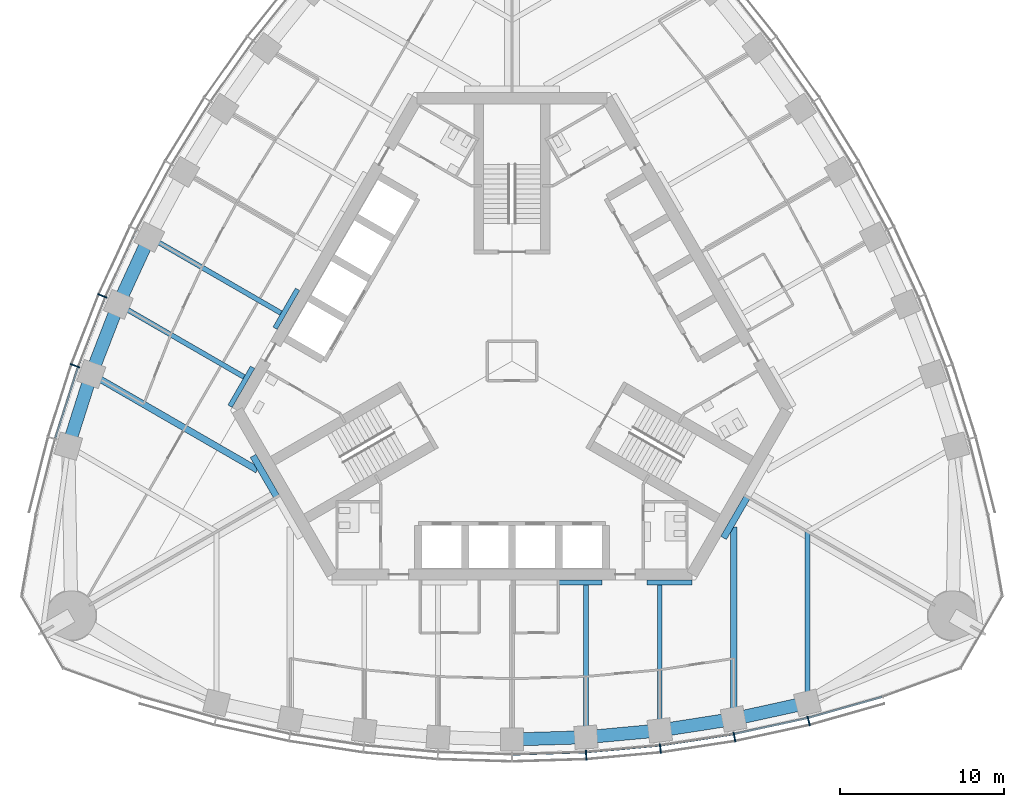
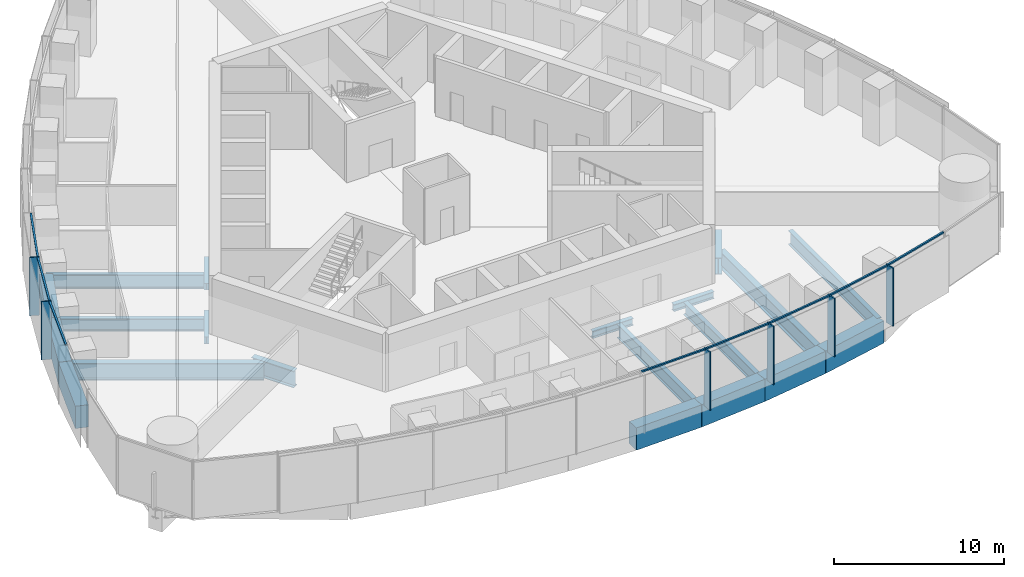
# One storey, part 3 of 16: 20 beams, 14 members, 2 elements without a shape of their own.
"""IFC4 building model written with IfcOpenShell, lengths in metres."""

import ifcopenshell
import ifcopenshell.guid

model = None  # the IFC model being written
_history = None  # IfcOwnerHistory: only IFC2X3 demands one
_inside = {}  # id of a spatial element -> (the spatial element, [elements in it])
_under = {}  # id of a project, library or spatial element -> (it, [spatial elements below it])
_declared = {}  # id of a project -> (the project, [libraries it declares])
_typed = {}  # id of a type object -> (the type object, [elements of that type])
_made_of = {}  # id of a material, layer set ... -> (it, [elements and type objects made of it])


def new_model(schema):
    """Start an empty IFC model of exactly this schema.

    Asked for "IFC4X3", IfcOpenShell would pick the latest addendum, in which some entities
    have other attributes; the version numbers below select the first issue.
    IFC2X3 requires an IfcOwnerHistory on every rooted entity: one is made here for all.
    """
    global model, _history
    if schema == "IFC4X3":
        model = ifcopenshell.file(schema_version=(4, 3, 0, 0))
    else:
        model = ifcopenshell.file(schema=schema)
    _inside.clear()
    _under.clear()
    _declared.clear()
    _typed.clear()
    _made_of.clear()
    _history = None
    if model.schema == "IFC2X3":
        org = make("IfcOrganization", Name="unknown")
        user = make(
            "IfcPersonAndOrganization",
            ThePerson=make("IfcPerson", FamilyName="unknown"),
            TheOrganization=org,
        )
        app = make(
            "IfcApplication",
            ApplicationDeveloper=org,
            Version="unknown",
            ApplicationFullName="unknown",
            ApplicationIdentifier="unknown",
        )
        _history = make(
            "IfcOwnerHistory",
            OwningUser=user,
            OwningApplication=app,
            ChangeAction="ADDED",
            CreationDate=0,
        )
    return model


def make(cls, **values):
    """One entity of the class cls with the attributes given. An attribute that is None is left unset."""
    return model.create_entity(
        cls, **{name: value for name, value in values.items() if value is not None}
    )


def rooted(cls, **values):
    """An entity with a GlobalId (a new one), such as an element, a storey or a relation."""
    return make(cls, GlobalId=ifcopenshell.guid.new(), OwnerHistory=_history, **values)


def si_unit(unit_type, name, prefix=None):
    """IfcSIUnit, for example si_unit("LENGTHUNIT", "METRE", prefix="MILLI")."""
    return make("IfcSIUnit", UnitType=unit_type, Prefix=prefix, Name=name)


def assignment(units):
    """IfcUnitAssignment: the units of a project."""
    return None if units is None else make("IfcUnitAssignment", Units=units)


def point(xyz):
    """IfcCartesianPoint."""
    return None if xyz is None else make("IfcCartesianPoint", Coordinates=xyz)


def direction(xyz):
    """IfcDirection."""
    return None if xyz is None else make("IfcDirection", DirectionRatios=xyz)


def frame(location, z_axis=None, x_axis=None):
    """IfcAxis2Placement3D, a coordinate frame: its origin and axes. An axis left out is left unset."""
    return make(
        "IfcAxis2Placement3D",
        Location=point(location),
        Axis=direction(z_axis),
        RefDirection=direction(x_axis),
    )


def frame_2d(location, x_axis=None):
    """IfcAxis2Placement2D, a coordinate frame in the plane: its origin and x axis."""
    return make(
        "IfcAxis2Placement2D", Location=point(location), RefDirection=direction(x_axis)
    )


def origin():
    """The frame at (0, 0, 0) with its axes left unset."""
    return frame((0.0, 0.0, 0.0))


def origin_2d():
    """The frame at (0, 0) in the plane with its x axis left unset."""
    return frame_2d((0.0, 0.0))


def place(relative_to, where):
    """IfcLocalPlacement: puts the frame where relative to a parent placement (None: the world)."""
    return make(
        "IfcLocalPlacement", PlacementRelTo=relative_to, RelativePlacement=where
    )


def context(
    kind, dimensions, precision=None, world=None, true_north=None, identifier=None
):
    """IfcGeometricRepresentationContext, for example the 3D "Model" context."""
    return make(
        "IfcGeometricRepresentationContext",
        ContextIdentifier=identifier,
        ContextType=kind,
        CoordinateSpaceDimension=dimensions,
        Precision=precision,
        WorldCoordinateSystem=world,
        TrueNorth=true_north,
    )


def subcontext(parent, identifier, kind, view, scale=None):
    """IfcGeometricRepresentationSubContext, for example "Body" below "Model"."""
    return make(
        "IfcGeometricRepresentationSubContext",
        ContextIdentifier=identifier,
        ContextType=kind,
        ParentContext=parent,
        TargetScale=scale,
        TargetView=view,
    )


def project(units=None, contexts=None):
    """IfcProject with its units and contexts."""
    return rooted(
        "IfcProject",
        Name="project",
        RepresentationContexts=contexts,
        UnitsInContext=assignment(units),
    )


def spatial(cls, under=None, at=None, **own):
    """A site, building, storey or space (cls), placed at a placement, below another one or the project."""
    s = rooted(cls, ObjectPlacement=at, **own)
    if under is not None:
        _under.setdefault(under.id(), (under, []))[1].append(s)
    return s


def profile(cls, at=None, kind="AREA", **sizes):
    """A parametric profile (cls). Its sizes go by their IFC names, for example OverallWidth=200.0."""
    return make(cls, ProfileType=kind, Position=at, **sizes)


def rectangle(**sizes):
    """IfcRectangleProfileDef."""
    return profile("IfcRectangleProfileDef", **sizes)


def i_section(**sizes):
    """IfcIShapeProfileDef."""
    return profile("IfcIShapeProfileDef", **sizes)


def extrude(swept, where, along, depth):
    """IfcExtrudedAreaSolid: the profile swept, set in the frame where, extruded along a direction by depth."""
    return make(
        "IfcExtrudedAreaSolid",
        SweptArea=swept,
        Position=where,
        ExtrudedDirection=direction(along),
        Depth=depth,
    )


def shape(context_of_items, identifier, shape_type, items):
    """IfcShapeRepresentation: the items that make up one representation, for example the "Body"."""
    return make(
        "IfcShapeRepresentation",
        ContextOfItems=context_of_items,
        RepresentationIdentifier=identifier,
        RepresentationType=shape_type,
        Items=items,
    )


def material(Name=None, Category=None):
    """IfcMaterial."""
    return make("IfcMaterial", Name=Name, Category=Category)


def material_profile(
    of_material, cross_section, Name=None, Category=None, Priority=None
):
    """IfcMaterialProfile: a cross section and its material."""
    return make(
        "IfcMaterialProfile",
        Name=Name,
        Material=of_material,
        Profile=cross_section,
        Priority=Priority,
        Category=Category,
    )


def profile_set(profiles, Name=None, composite=None):
    """IfcMaterialProfileSet."""
    return make(
        "IfcMaterialProfileSet",
        Name=Name,
        MaterialProfiles=profiles,
        CompositeProfile=composite,
    )


def made_of(thing, what):
    """Note that an element or type object is made of a material, layer set ...; save() writes the relation."""
    if what is not None:
        _made_of.setdefault(what.id(), (what, []))[1].append(thing)
    return thing


def type_object(cls, material=None, **own):
    """A type object (cls), such as IfcWallType, which elements share."""
    return made_of(rooted(cls, **own), material)


def element(
    cls,
    number,
    at=None,
    inside=None,
    cuts=None,
    type_object=None,
    material=None,
    context=None,
    identifier="Body",
    shape_type=None,
    held_by="IfcProductDefinitionShape",
    body=None,
    shapes=None,
    **own,
):
    """One element of the class cls, such as IfcWall. Its Tag is "e" and its number.

    at: its placement. inside: the storey or other place that contains it. cuts: it is an
    opening in that element (IfcRelVoidsElement). A single representation is given by context,
    identifier, shape_type and body (its items); several are given by shapes. held_by: the class
    of the entity that holds the representations. save() writes the other relations.
    """
    e = rooted(cls, Tag="e%d" % number, ObjectPlacement=at, **own)
    if body is not None:
        shapes = [shape(context, identifier, shape_type, body)]
    if shapes is not None:
        e.Representation = make(held_by, Representations=shapes)
    if inside is not None:
        _inside.setdefault(inside.id(), (inside, []))[1].append(e)
    if cuts is not None:
        rooted(
            "IfcRelVoidsElement", RelatingBuildingElement=cuts, RelatedOpeningElement=e
        )
    if type_object is not None:
        _typed.setdefault(type_object.id(), (type_object, []))[1].append(e)
    return made_of(e, material)


def aggregate(whole, parts):
    """IfcRelAggregates: a whole, such as a stair, and the parts it consists of."""
    return rooted("IfcRelAggregates", RelatingObject=whole, RelatedObjects=parts)


def save(model, path):
    """Write the relations noted so far, then the file.

    IfcRelAggregates (storeys below a building ...), IfcRelContainedInSpatialStructure (elements
    in a storey), IfcRelDefinesByType, IfcRelAssociatesMaterial and IfcRelDeclares: one each for
    every whole, place, type object, material and project.
    """
    for whole, parts in _under.values():
        aggregate(whole, parts)
    for where, things in _inside.values():
        rooted(
            "IfcRelContainedInSpatialStructure",
            RelatedElements=things,
            RelatingStructure=where,
        )
    for kind, things in _typed.values():
        rooted("IfcRelDefinesByType", RelatedObjects=things, RelatingType=kind)
    for what, things in _made_of.values():
        rooted("IfcRelAssociatesMaterial", RelatedObjects=things, RelatingMaterial=what)
    for by, libraries in _declared.values():
        rooted("IfcRelDeclares", RelatingContext=by, RelatedDefinitions=libraries)
    model.write(path)


model = new_model("IFC4")

# Units and contexts
model_context = context("Model", 3, precision=1e-05, world=origin(), true_north=direction((0.0, 1.0)))
body_context = subcontext(model_context, "Body", "Model", "MODEL_VIEW")
ifc_project = project(units=[si_unit("LENGTHUNIT", "METRE"), si_unit("AREAUNIT", "SQUARE_METRE"), si_unit("VOLUMEUNIT", "CUBIC_METRE"), si_unit("PLANEANGLEUNIT", "RADIAN"), si_unit("MASSUNIT", "GRAM", prefix="KILO")], contexts=[model_context])

# Site, building, storey
site_placement = place(None, origin())
site = spatial("IfcSite", under=ifc_project, at=site_placement, CompositionType="ELEMENT")
building_placement = place(site_placement, origin())
building = spatial("IfcBuilding", under=site, at=building_placement, Name="Trefoil Bronze Tower", CompositionType="ELEMENT")
storey_placement = place(building_placement, frame((0.0, 0.0, 284.699951171875)))
storey = spatial("IfcBuildingStorey", under=building, at=storey_placement, Name="L65", CompositionType="ELEMENT", Elevation=284.699951171875)

# Curtain wall, members
ifc_material_1 = material(Name="Tinted solar-control glass", Category="glass")
curtain_wall_type = type_object("IfcCurtainWallType", Name="Bronze office curtain wall", PredefinedType="USERDEFINED", material=ifc_material_1)
curtain_wall_1_placement = place(storey_placement, origin())
curtain_wall_1 = element("IfcCurtainWall", 1, at=curtain_wall_1_placement, inside=storey, type_object=curtain_wall_type, Name="CW-A L65 F1", ObjectType="CURTAIN WALL", PredefinedType="USERDEFINED")
ifc_material_2 = material(Name="Bronze-finish aluminium", Category="aluminium")
ifc_material_profile_1 = material_profile(ifc_material_2, rectangle(XDim=0.60009765625, YDim=0.080078125, at=origin_2d()), Name="CW-A mullion")
ifc_profile_set_1 = profile_set([ifc_material_profile_1], Name="Bronze-finish aluminium")
member_type_1 = type_object("IfcMemberType", Name="Bronze office curtain wall mullion", PredefinedType="MULLION", material=ifc_profile_set_1)
member_1_placement = place(storey_placement, frame((4.51806640625, -24.014892578125, 0.0), z_axis=(0.0, 0.0, 1.0), x_axis=(-0.060554040199, 0.998164920349, 0.0)))
member_1 = element("IfcMember", 2, at=member_1_placement, type_object=member_type_1, Name="CW-A L65 F1 mullion 7", PredefinedType="MULLION", context=body_context, shape_type="SweptSolid", body=[
    extrude(rectangle(XDim=0.60009765625, YDim=0.080078125, at=origin_2d()), origin(), (0.0, 0.0, 1.0), 4.179931640625),
])
member_2_placement = place(storey_placement, frame((9.036376953125, -23.602783203125, 0.0), z_axis=(0.0, 0.0, 1.0), x_axis=(-0.121109330868, 0.992639174109, 0.0)))
member_2 = element("IfcMember", 3, at=member_2_placement, type_object=member_type_1, Name="CW-A L65 F1 mullion 8", PredefinedType="MULLION", context=body_context, shape_type="SweptSolid", body=[
    extrude(rectangle(XDim=0.60009765625, YDim=0.080078125, at=origin_2d()), origin(), (0.0, 0.0, 1.0), 4.179931640625),
])
member_3_placement = place(storey_placement, frame((13.554443359375, -22.911376953125, 0.0), z_axis=(0.0, 0.0, 1.0), x_axis=(-0.181667218242, 0.983360067227, 0.0)))
member_3 = element("IfcMember", 4, at=member_3_placement, type_object=member_type_1, Name="CW-A L65 F1 mullion 9", PredefinedType="MULLION", context=body_context, shape_type="SweptSolid", body=[
    extrude(rectangle(XDim=0.60009765625, YDim=0.080078125, at=origin_2d()), origin(), (0.0, 0.0, 1.0), 4.179931640625),
])
member_4_placement = place(storey_placement, frame((18.07275390625, -21.931884765625, 0.0), z_axis=(0.0, 0.0, 1.0), x_axis=(-0.242394494031, 0.97017777199, 0.0)))
member_4 = element("IfcMember", 5, at=member_4_placement, type_object=member_type_1, Name="CW-A L65 F1 mullion 10", PredefinedType="MULLION", context=body_context, shape_type="SweptSolid", body=[
    extrude(rectangle(XDim=0.60009765625, YDim=0.080078125, at=origin_2d()), origin(), (0.0, 0.0, 1.0), 4.179931640625),
])

curtain_wall_2_placement = place(storey_placement, origin())
curtain_wall_2 = element("IfcCurtainWall", 6, at=curtain_wall_2_placement, inside=storey, type_object=curtain_wall_type, Name="CW-A L65 F3", ObjectType="CURTAIN WALL", PredefinedType="USERDEFINED")
member_5_placement = place(storey_placement, frame((-24.958984375, 3.975830078125, 0.0), z_axis=(0.0, 0.0, 1.0), x_axis=(0.920205407004, -0.391435829888, 0.0)))
member_5 = element("IfcMember", 7, at=member_5_placement, type_object=member_type_1, Name="CW-A L65 F3 mullion 8", PredefinedType="MULLION", context=body_context, shape_type="SweptSolid", body=[
    extrude(rectangle(XDim=0.60009765625, YDim=0.080078125, at=origin_2d()), origin(), (0.0, 0.0, 1.0), 4.179931640625),
])
member_6_placement = place(storey_placement, frame((-26.618896484375, -0.282958984375, 0.0), z_axis=(0.0, 0.0, 1.0), x_axis=(0.942448408407, -0.334351607581, 0.0)))
member_6 = element("IfcMember", 8, at=member_6_placement, type_object=member_type_1, Name="CW-A L65 F3 mullion 9", PredefinedType="MULLION", context=body_context, shape_type="SweptSolid", body=[
    extrude(rectangle(XDim=0.60009765625, YDim=0.080078125, at=origin_2d()), origin(), (0.0, 0.0, 1.0), 4.179931640625),
])

# Member
ifc_material_3 = material(Name="Bronze-finish aluminium", Category="aluminium")
ifc_material_profile_2 = material_profile(ifc_material_3, rectangle(XDim=0.1201171875, YDim=0.10009765625, at=origin_2d()), Name="CW-A transom")
ifc_profile_set_2 = profile_set([ifc_material_profile_2], Name="Bronze-finish aluminium")
member_type_2 = type_object("IfcMemberType", Name="Bronze office curtain wall transom", PredefinedType="USERDEFINED", material=ifc_profile_set_2)
member_7_placement = place(storey_placement, frame((0.04296875, -23.950439453125, 4.130126953125), z_axis=(0.99954057115, 0.030309183848, 0.0), x_axis=(-0.030309183848, 0.99954057115, 0.0)))
member_7 = element("IfcMember", 9, at=member_7_placement, type_object=member_type_2, Name="CW-A L65 F1 transom 6", ObjectType="TRANSOM", PredefinedType="USERDEFINED", context=body_context, shape_type="SweptSolid", body=[
    extrude(rectangle(XDim=0.1201171875, YDim=0.10009765625, at=origin_2d()), origin(), (0.0, 0.0, 1.0), 4.422119140625),
])

member_8_placement = place(storey_placement, frame((4.548828125, -23.811279296875, 4.130126953125), z_axis=(0.995868373079, 0.090808499059, 0.0), x_axis=(-0.090808499059, 0.995868373079, 0.0)))
member_8 = element("IfcMember", 10, at=member_8_placement, type_object=member_type_2, Name="CW-A L65 F1 transom 7", ObjectType="TRANSOM", PredefinedType="USERDEFINED", context=body_context, shape_type="SweptSolid", body=[
    extrude(rectangle(XDim=0.1201171875, YDim=0.10009765625, at=origin_2d()), origin(), (0.0, 0.0, 1.0), 4.438720703125),
])

member_9_placement = place(storey_placement, frame((9.0546875, -23.39794921875, 4.130126953125), z_axis=(0.988485016014, 0.151318779787, 0.0), x_axis=(-0.151318779787, 0.988485016014, 0.0)))
member_9 = element("IfcMember", 11, at=member_9_placement, type_object=member_type_2, Name="CW-A L65 F1 transom 8", ObjectType="TRANSOM", PredefinedType="USERDEFINED", context=body_context, shape_type="SweptSolid", body=[
    extrude(rectangle(XDim=0.1201171875, YDim=0.10009765625, at=origin_2d()), origin(), (0.0, 0.0, 1.0), 4.472412109375),
])

member_10_placement = place(storey_placement, frame((13.560302734375, -22.70556640625, 4.130126953125), z_axis=(0.977303780028, 0.211842681117, 0.0), x_axis=(-0.211842681117, 0.977303780028, 0.0)))
member_10 = element("IfcMember", 12, at=member_10_placement, type_object=member_type_2, Name="CW-A L65 F1 transom 9", ObjectType="TRANSOM", PredefinedType="USERDEFINED", context=body_context, shape_type="SweptSolid", body=[
    extrude(rectangle(XDim=0.1201171875, YDim=0.10009765625, at=origin_2d()), origin(), (0.0, 0.0, 1.0), 4.524658203125),
])

member_11_placement = place(storey_placement, frame((18.065673828125, -21.72607421875, 4.130126953125), z_axis=(0.962102611578, 0.272687668944, 0.0), x_axis=(-0.272687668944, 0.962102611578, 0.0)))
member_11 = element("IfcMember", 13, at=member_11_placement, type_object=member_type_2, Name="CW-A L65 F1 transom 10", ObjectType="TRANSOM", PredefinedType="USERDEFINED", context=body_context, shape_type="SweptSolid", body=[
    extrude(rectangle(XDim=0.1201171875, YDim=0.10009765625, at=origin_2d()), origin(), (0.0, 0.0, 1.0), 4.6474609375),
])

aggregate(curtain_wall_1, [member_1, member_2, member_3, member_4, member_7, member_8, member_9, member_10, member_11])

member_12_placement = place(storey_placement, frame((-22.895751953125, 7.966064453125, 4.130126953125), z_axis=(-0.4192988407, -0.907848270466, 0.0), x_axis=(0.907848270466, -0.4192988407, 0.0)))
member_12 = element("IfcMember", 14, at=member_12_placement, type_object=member_type_2, Name="CW-A L65 F3 transom 7", ObjectType="TRANSOM", PredefinedType="USERDEFINED", context=body_context, shape_type="SweptSolid", body=[
    extrude(rectangle(XDim=0.1201171875, YDim=0.10009765625, at=origin_2d()), origin(), (0.0, 0.0, 1.0), 4.4384765625),
])

member_13_placement = place(storey_placement, frame((-24.79052734375, 3.857421875, 4.130126953125), z_axis=(-0.363178486404, -0.931719586042, 0.0), x_axis=(0.931719586042, -0.363178486404, 0.0)))
member_13 = element("IfcMember", 15, at=member_13_placement, type_object=member_type_2, Name="CW-A L65 F3 transom 8", ObjectType="TRANSOM", PredefinedType="USERDEFINED", context=body_context, shape_type="SweptSolid", body=[
    extrude(rectangle(XDim=0.1201171875, YDim=0.10009765625, at=origin_2d()), origin(), (0.0, 0.0, 1.0), 4.472412109375),
])

member_14_placement = place(storey_placement, frame((-26.443603515625, -0.390869140625, 4.130126953125), z_axis=(-0.305198606794, -0.95228872219, 0.0), x_axis=(0.95228872219, -0.305198606794, 0.0)))
member_14 = element("IfcMember", 16, at=member_14_placement, type_object=member_type_2, Name="CW-A L65 F3 transom 9", ObjectType="TRANSOM", PredefinedType="USERDEFINED", context=body_context, shape_type="SweptSolid", body=[
    extrude(rectangle(XDim=0.1201171875, YDim=0.10009765625, at=origin_2d()), origin(), (0.0, 0.0, 1.0), 4.5244140625),
])

aggregate(curtain_wall_2, [member_5, member_6, member_12, member_13, member_14])

# Beams
ifc_material_4 = material(Name="Steel C355", Category="steel")
ifc_material_profile_3 = material_profile(ifc_material_4, i_section(OverallWidth=0.300048828125, OverallDepth=0.5, WebThickness=0.014404296875, FlangeThickness=0.028076171875, FilletRadius=0.027099609375, at=origin_2d()), Name="HEB 500")
ifc_profile_set_3 = profile_set([ifc_material_profile_3], Name="Steel C355")
beam_type_1 = type_object("IfcBeamType", Name="Core seat beam HEB 500", PredefinedType="BEAM", material=ifc_profile_set_3)
for number, where, z_axis, x_axis, name in (
    (17, (2.742431640625, -13.5, -0.449951171875), (1.0, 0.0, 0.0), (0.0, 1.0, 0.0), "Core seat beam F1/+1 L65"),
    (18, (8.227294921875, -13.5, -0.449951171875), (1.0, 0.0, 0.0), (0.0, 1.0, 0.0), "Core seat beam F1/+2 L65"),
    (19, (-13.0625, 4.375, -0.449951171875), (-0.500035825175, -0.866004719122, 0.0), (0.866004719122, -0.500035825175, 0.0), "Core seat beam F3/+1 L65"),
    (20, (-15.804931640625, -0.375, -0.449951171875), (-0.500035825175, -0.866004719122, 0.0), (0.866004719122, -0.500035825175, 0.0), "Core seat beam F3/+2 L65"),
):
    element("IfcBeam", number, at=place(storey_placement, frame(where, z_axis=z_axis, x_axis=x_axis)), inside=storey, type_object=beam_type_1, Name=name, PredefinedType="BEAM", context=body_context, shape_type="SweptSolid", body=[
        extrude(i_section(OverallWidth=0.300048828125, OverallDepth=0.5, WebThickness=0.014404296875, FlangeThickness=0.028076171875, FilletRadius=0.027099609375, at=origin_2d()), origin(), (0.0, 0.0, 1.0), 2.742431640625),
    ])
ifc_material_5 = material(Name="Steel C355", Category="steel")
ifc_material_profile_4 = material_profile(ifc_material_5, i_section(OverallWidth=0.39990234375, OverallDepth=1.199951171875, WebThickness=0.02001953125, FlangeThickness=0.0400390625, FilletRadius=0.010009765625, at=origin_2d()), Name="WPG 1200")
ifc_profile_set_4 = profile_set([ifc_material_profile_4], Name="Steel C355")
beam_type_2 = type_object("IfcBeamType", Name="Core seat beam WPG 1200", PredefinedType="BEAM", material=ifc_profile_set_4)
for number, where, z_axis, x_axis, name in (
    (21, (12.889404296875, -10.77490234375, -0.800048828125), (0.499995765644, 0.866027848477, 0.0), (-0.866027848477, 0.499995765644, 0.0), "Core seat beam F1/+3 L65"),
    (22, (-15.776123046875, -5.77490234375, -0.800048828125), (0.499995765644, -0.866027848477, 0.0), (0.866027848477, 0.499995765644, 0.0), "Core seat beam F3/+3 L65"),
):
    element("IfcBeam", number, at=place(storey_placement, frame(where, z_axis=z_axis, x_axis=x_axis)), inside=storey, type_object=beam_type_2, Name=name, PredefinedType="BEAM", context=body_context, shape_type="SweptSolid", body=[
        extrude(i_section(OverallWidth=0.39990234375, OverallDepth=1.199951171875, WebThickness=0.02001953125, FlangeThickness=0.0400390625, FilletRadius=0.010009765625, at=origin_2d()), origin(), (0.0, 0.0, 1.0), 2.88671875),
    ])
ifc_material_6 = material(Name="Steel C355", Category="steel")
ifc_material_profile_5 = material_profile(ifc_material_6, i_section(OverallWidth=0.300048828125, OverallDepth=1.0, WebThickness=0.01904296875, FlangeThickness=0.035888671875, FilletRadius=0.030029296875, at=origin_2d()), Name="HEB 1000")
ifc_profile_set_5 = profile_set([ifc_material_profile_5], Name="Steel C355")
beam_type_3 = type_object("IfcBeamType", Name="Floor beam HEB 1000", PredefinedType="BEAM", material=ifc_profile_set_5)
beam_1_placement = place(storey_placement, frame((4.5, -22.913818359375, -0.699951171875), z_axis=(0.0, 1.0, 0.0), x_axis=(-1.0, 0.0, 0.0)))
element("IfcBeam", 23, at=beam_1_placement, inside=storey, type_object=beam_type_3, Name="Floor beam F1/+1 L65", PredefinedType="BEAM", context=body_context, shape_type="SweptSolid", body=[
    extrude(i_section(OverallWidth=0.300048828125, OverallDepth=1.0, WebThickness=0.01904296875, FlangeThickness=0.035888671875, FilletRadius=0.030029296875, at=origin_2d()), origin(), (0.0, 0.0, 1.0), 9.263916015625),
])
beam_2_placement = place(storey_placement, frame((-22.093994140625, 7.559814453125, -0.699951171875), z_axis=(0.866028909405, -0.499993928037, 0.0), x_axis=(0.499993928037, 0.866028909405, 0.0)))
element("IfcBeam", 24, at=beam_2_placement, inside=storey, type_object=beam_type_3, Name="Floor beam F3/+1 L65", PredefinedType="BEAM", context=body_context, shape_type="SweptSolid", body=[
    extrude(i_section(OverallWidth=0.300048828125, OverallDepth=1.0, WebThickness=0.01904296875, FlangeThickness=0.035888671875, FilletRadius=0.030029296875, at=origin_2d()), origin(), (0.0, 0.0, 1.0), 9.263671875),
])
ifc_material_7 = material(Name="Steel C355", Category="steel")
ifc_material_profile_6 = material_profile(ifc_material_7, i_section(OverallWidth=0.300048828125, OverallDepth=0.89990234375, WebThickness=0.0185546875, FlangeThickness=0.034912109375, FilletRadius=0.030029296875, at=origin_2d()), Name="HEB 900")
ifc_profile_set_6 = profile_set([ifc_material_profile_6], Name="Steel C355")
beam_type_4 = type_object("IfcBeamType", Name="Floor beam HEB 900", PredefinedType="BEAM", material=ifc_profile_set_6)
beam_3_placement = place(storey_placement, frame((9.0, -22.499267578125, -0.64990234375), z_axis=(0.0, 1.0, 0.0), x_axis=(-1.0, 0.0, 0.0)))
element("IfcBeam", 25, at=beam_3_placement, inside=storey, type_object=beam_type_4, Name="Floor beam F1/+2 L65", PredefinedType="BEAM", context=body_context, shape_type="SweptSolid", body=[
    extrude(i_section(OverallWidth=0.300048828125, OverallDepth=0.89990234375, WebThickness=0.0185546875, FlangeThickness=0.034912109375, FilletRadius=0.030029296875, at=origin_2d()), origin(), (0.0, 0.0, 1.0), 8.849365234375),
])
beam_4_placement = place(storey_placement, frame((-23.98486328125, 3.455322265625, -0.64990234375), z_axis=(0.866025701847, -0.499999483739, 0.0), x_axis=(0.499999483739, 0.866025701847, 0.0)))
element("IfcBeam", 26, at=beam_4_placement, inside=storey, type_object=beam_type_4, Name="Floor beam F3/+2 L65", PredefinedType="BEAM", context=body_context, shape_type="SweptSolid", body=[
    extrude(i_section(OverallWidth=0.300048828125, OverallDepth=0.89990234375, WebThickness=0.0185546875, FlangeThickness=0.034912109375, FilletRadius=0.030029296875, at=origin_2d()), origin(), (0.0, 0.0, 1.0), 8.84912109375),
])
ifc_material_8 = material(Name="Steel C355", Category="steel")
ifc_material_profile_7 = material_profile(ifc_material_8, i_section(OverallWidth=0.302001953125, OverallDepth=1.008056640625, WebThickness=0.02099609375, FlangeThickness=0.0400390625, FilletRadius=0.030029296875, at=origin_2d()), Name="HEM 1000")
ifc_profile_set_7 = profile_set([ifc_material_profile_7], Name="Steel C355")
beam_type_5 = type_object("IfcBeamType", Name="Floor beam HEM 1000", PredefinedType="BEAM", material=ifc_profile_set_7)
beam_5_placement = place(storey_placement, frame((18.0, -20.816162109375, -0.703857421875), z_axis=(0.0, 1.0, 0.0), x_axis=(-1.0, 0.0, 0.0)))
element("IfcBeam", 27, at=beam_5_placement, inside=storey, type_object=beam_type_5, Name="Floor beam F1/+4 L65", PredefinedType="BEAM", context=body_context, shape_type="SweptSolid", body=[
    extrude(i_section(OverallWidth=0.302001953125, OverallDepth=1.008056640625, WebThickness=0.02099609375, FlangeThickness=0.0400390625, FilletRadius=0.030029296875, at=origin_2d()), origin(), (0.0, 0.0, 1.0), 10.423828125),
])
ifc_material_9 = material(Name="Steel C355", Category="steel")
ifc_material_profile_8 = material_profile(ifc_material_9, i_section(OverallWidth=0.39990234375, OverallDepth=1.199951171875, WebThickness=0.02001953125, FlangeThickness=0.0400390625, FilletRadius=0.010009765625, at=origin_2d()), Name="WPG 1200")
ifc_profile_set_8 = profile_set([ifc_material_profile_8], Name="Steel C355")
beam_type_6 = type_object("IfcBeamType", Name="Floor beam WPG 1200", PredefinedType="BEAM", material=ifc_profile_set_8)
beam_6_placement = place(storey_placement, frame((13.5, -21.802734375, -0.800048828125), z_axis=(0.0, 1.0, 0.0), x_axis=(-1.0, 0.0, 0.0)))
element("IfcBeam", 28, at=beam_6_placement, inside=storey, type_object=beam_type_6, Name="Floor beam F1/+3 L65", PredefinedType="BEAM", context=body_context, shape_type="SweptSolid", body=[
    extrude(i_section(OverallWidth=0.39990234375, OverallDepth=1.199951171875, WebThickness=0.02001953125, FlangeThickness=0.0400390625, FilletRadius=0.010009765625, at=origin_2d()), origin(), (0.0, 0.0, 1.0), 11.685302734375),
])
beam_7_placement = place(storey_placement, frame((-25.631591796875, -0.7900390625, -0.800048828125), z_axis=(0.866026929639, -0.499997357134, 0.0), x_axis=(0.499997357134, 0.866026929639, 0.0)))
element("IfcBeam", 29, at=beam_7_placement, inside=storey, type_object=beam_type_6, Name="Floor beam F3/+3 L65", PredefinedType="BEAM", context=body_context, shape_type="SweptSolid", body=[
    extrude(i_section(OverallWidth=0.39990234375, OverallDepth=1.199951171875, WebThickness=0.02001953125, FlangeThickness=0.0400390625, FilletRadius=0.010009765625, at=origin_2d()), origin(), (0.0, 0.0, 1.0), 11.68505859375),
])
ifc_material_10 = material(Name="Concrete B80", Category="concrete")
ifc_material_profile_9 = material_profile(ifc_material_10, rectangle(XDim=0.800048828125, YDim=1.60009765625, at=origin_2d()), Name="RC 800x1600")
ifc_profile_set_9 = profile_set([ifc_material_profile_9], Name="Concrete B80")
beam_type_7 = type_object("IfcBeamType", Name="Spandrel beam RC 800x1600", PredefinedType="SPANDREL", material=ifc_profile_set_9)
beam_8_placement = place(storey_placement, frame((0.0, -23.051513671875, -1.0), z_axis=(0.999532180362, 0.03058464354, 0.0), x_axis=(-0.03058464354, 0.999532180362, 0.0)))
element("IfcBeam", 30, at=beam_8_placement, inside=storey, type_object=beam_type_7, Name="Spandrel F1.6 L65", PredefinedType="SPANDREL", context=body_context, shape_type="SweptSolid", body=[
    extrude(rectangle(XDim=0.800048828125, YDim=1.60009765625, at=origin_2d()), origin(), (0.0, 0.0, 1.0), 4.502197265625),
])
beam_9_placement = place(storey_placement, frame((4.5, -22.913818359375, -1.0), z_axis=(0.995783550481, 0.091733966402, 0.0), x_axis=(-0.091733966402, 0.995783550481, 0.0)))
element("IfcBeam", 31, at=beam_9_placement, inside=storey, type_object=beam_type_7, Name="Spandrel F1.7 L65", PredefinedType="SPANDREL", context=body_context, shape_type="SweptSolid", body=[
    extrude(rectangle(XDim=0.800048828125, YDim=1.60009765625, at=origin_2d()), origin(), (0.0, 0.0, 1.0), 4.51904296875),
])
beam_10_placement = place(storey_placement, frame((9.0, -22.499267578125, -1.0), z_axis=(0.988231820946, 0.152963616816, 0.0), x_axis=(-0.152963616816, 0.988231820946, 0.0)))
element("IfcBeam", 32, at=beam_10_placement, inside=storey, type_object=beam_type_7, Name="Spandrel F1.8 L65", PredefinedType="SPANDREL", context=body_context, shape_type="SweptSolid", body=[
    extrude(rectangle(XDim=0.800048828125, YDim=1.60009765625, at=origin_2d()), origin(), (0.0, 0.0, 1.0), 4.553466796875),
])
beam_11_placement = place(storey_placement, frame((13.5, -21.802734375, -1.0), z_axis=(0.976800342355, 0.214152028182, 0.0), x_axis=(-0.214152028182, 0.976800342355, 0.0)))
element("IfcBeam", 33, at=beam_11_placement, inside=storey, type_object=beam_type_7, Name="Spandrel F1.9 L65", PredefinedType="SPANDREL", context=body_context, shape_type="SweptSolid", body=[
    extrude(rectangle(XDim=0.800048828125, YDim=1.60009765625, at=origin_2d()), origin(), (0.0, 0.0, 1.0), 4.60693359375),
])
beam_12_placement = place(storey_placement, frame((-22.093994140625, 7.559814453125, -1.0), z_axis=(-0.418417425199, -0.90825484215, 0.0), x_axis=(0.90825484215, -0.418417425199, 0.0)))
element("IfcBeam", 34, at=beam_12_placement, inside=storey, type_object=beam_type_7, Name="Spandrel F3.7 L65", PredefinedType="SPANDREL", context=body_context, shape_type="SweptSolid", body=[
    extrude(rectangle(XDim=0.800048828125, YDim=1.60009765625, at=origin_2d()), origin(), (0.0, 0.0, 1.0), 4.51904296875),
])
beam_13_placement = place(storey_placement, frame((-23.98486328125, 3.455322265625, -1.0), z_axis=(-0.361636286502, -0.932319256631, 0.0), x_axis=(0.932319256631, -0.361636286502, 0.0)))
element("IfcBeam", 35, at=beam_13_placement, inside=storey, type_object=beam_type_7, Name="Spandrel F3.8 L65", PredefinedType="SPANDREL", context=body_context, shape_type="SweptSolid", body=[
    extrude(rectangle(XDim=0.800048828125, YDim=1.60009765625, at=origin_2d()), origin(), (0.0, 0.0, 1.0), 4.553466796875),
])
beam_14_placement = place(storey_placement, frame((-25.631591796875, -0.7900390625, -1.0), z_axis=(-0.302969597344, -0.953000221975, 0.0), x_axis=(0.953000221975, -0.302969597344, 0.0)))
element("IfcBeam", 36, at=beam_14_placement, inside=storey, type_object=beam_type_7, Name="Spandrel F3.9 L65", PredefinedType="SPANDREL", context=body_context, shape_type="SweptSolid", body=[
    extrude(rectangle(XDim=0.800048828125, YDim=1.60009765625, at=origin_2d()), origin(), (0.0, 0.0, 1.0), 4.60693359375),
])

save(model, "model.ifc")
